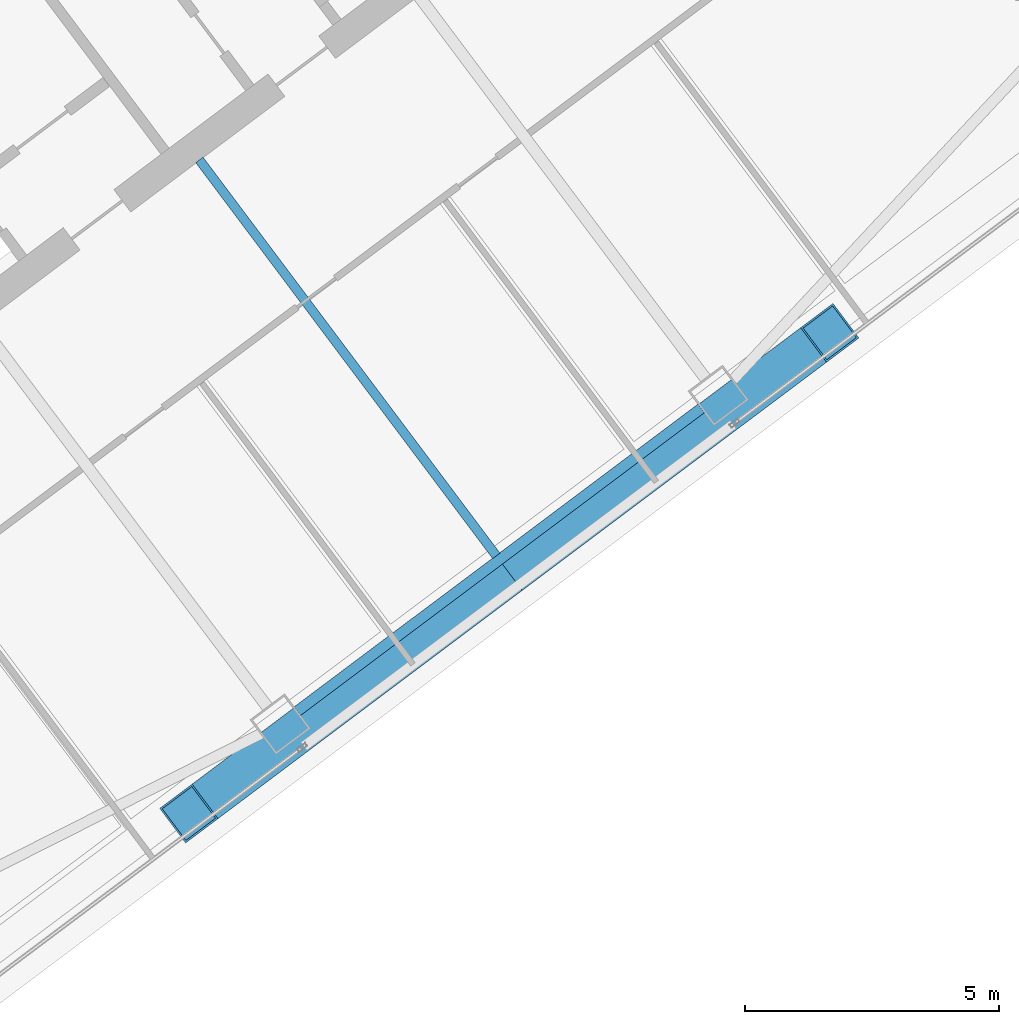
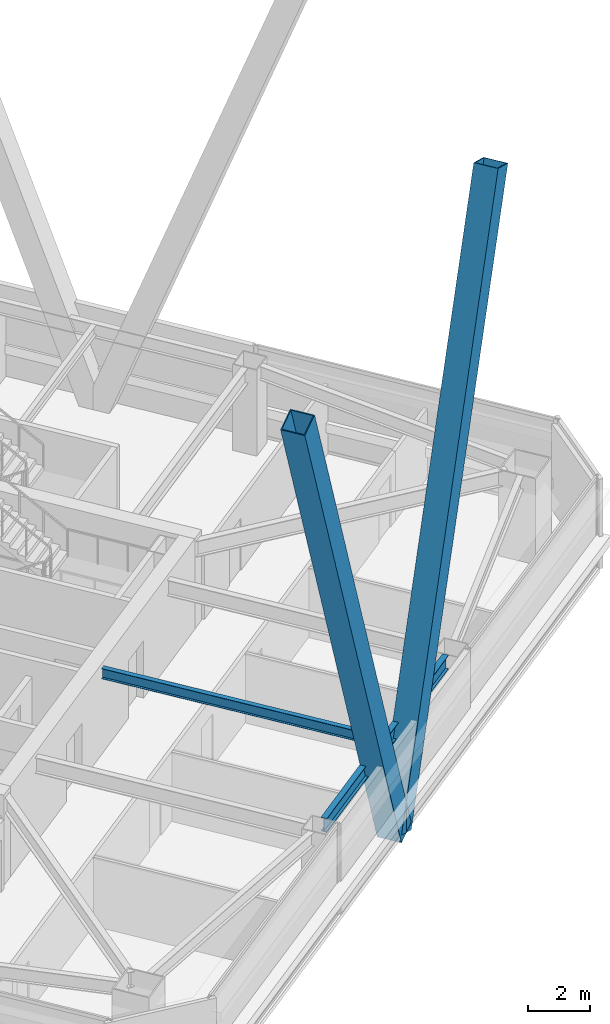
# One storey, part 28 of 50: 2 beams, 2 members.
"""IFC4 building model written with IfcOpenShell, lengths in metres."""

from ifc_helpers import new_model, si_unit, direction, frame, origin, origin_2d, place, context, subcontext, project, spatial, hollow_rectangle, i_section, extrude, material, material_profile, profile_set, type_object, element, save


model = new_model("IFC4")

# Units and contexts
model_context = context("Model", 3, precision=1e-05, world=origin(), true_north=direction((0.0, 1.0)))
body_context = subcontext(model_context, "Body", "Model", "MODEL_VIEW")
ifc_project = project(units=[si_unit("LENGTHUNIT", "METRE"), si_unit("AREAUNIT", "SQUARE_METRE"), si_unit("VOLUMEUNIT", "CUBIC_METRE"), si_unit("PLANEANGLEUNIT", "RADIAN"), si_unit("MASSUNIT", "GRAM", prefix="KILO")], contexts=[model_context])

# Site, building, storey
site_placement = place(None, origin())
site = spatial("IfcSite", under=ifc_project, at=site_placement, CompositionType="ELEMENT")
building_placement = place(site_placement, origin())
building = spatial("IfcBuilding", under=site, at=building_placement, Name="Tashvorn Skyway Center", CompositionType="ELEMENT")
storey_placement = place(building_placement, frame((0.0, 0.0, 114.39990234375)))
storey = spatial("IfcBuildingStorey", under=building, at=storey_placement, Name="L30", CompositionType="ELEMENT", Elevation=114.39990234375)

# Beams
ifc_material_1 = material(Name="Steel ASTM A992 Grade 50", Category="steel")
ifc_material_profile_1 = material_profile(ifc_material_1, i_section(OverallWidth=0.177978515625, OverallDepth=0.406005859375, WebThickness=0.0078125, FlangeThickness=0.0126953125, at=origin_2d()), Name="W16X40")
ifc_profile_set_1 = profile_set([ifc_material_profile_1], Name="Steel ASTM A992 Grade 50")
beam_type_1 = type_object("IfcBeamType", Name="BM-JOIST-W16X40", PredefinedType="JOIST", material=ifc_profile_set_1)
beam_1_placement = place(storey_placement, frame((118.674072265625, 25.76806640625, 3.1669921875), z_axis=(0.599991997409, -0.800006001881, 0.0), x_axis=(0.800006001881, 0.599991997409, 0.0)))
element("IfcBeam", 1, at=beam_1_placement, inside=storey, type_object=beam_type_1, Name="Tower 2 L30 Secondary Composite Joist JS", PredefinedType="JOIST", context=body_context, shape_type="SweptSolid", body=[
    extrude(i_section(OverallWidth=0.177978515625, OverallDepth=0.406005859375, WebThickness=0.0078125, FlangeThickness=0.0126953125, at=origin_2d()), origin(), (0.0, 0.0, 1.0), 9.762451171875),
])
ifc_material_profile_2 = material_profile(ifc_material_1, i_section(OverallWidth=0.2109375, OverallDepth=0.5390625, WebThickness=0.01171875, FlangeThickness=0.018798828125, at=origin_2d()), Name="W21X73")
ifc_profile_set_2 = profile_set([ifc_material_profile_2], Name="Steel ASTM A992 Grade 50")
beam_type_2 = type_object("IfcBeamType", Name="BM-SPANDREL-W21X73", PredefinedType="SPANDREL", material=ifc_profile_set_2)
beam_2_placement = place(storey_placement, frame((120.60595703125, 14.89208984375, 3.1005859375), z_axis=(0.800008824351, 0.599988234018, 0.0), x_axis=(-0.599988234018, 0.800008824351, 0.0)))
element("IfcBeam", 2, at=beam_2_placement, inside=storey, type_object=beam_type_2, Name="Tower 2 L30 Spandrel Beam 02", PredefinedType="SPANDREL", context=body_context, shape_type="SweptSolid", body=[
    extrude(i_section(OverallWidth=0.2109375, OverallDepth=0.5390625, WebThickness=0.01171875, FlangeThickness=0.018798828125, at=origin_2d()), origin(), (0.0, 0.0, 1.0), 9.9599609375),
])

# Members
ifc_material_2 = material(Name="Steel ASTM A572 Grade 50", Category="steel")
ifc_material_profile_3 = material_profile(ifc_material_2, hollow_rectangle(XDim=0.85009765625, YDim=0.85009765625, WallThickness=0.034912109375, at=origin_2d()), Name="BOX850x850x35")
ifc_profile_set_3 = profile_set([ifc_material_profile_3], Name="Steel ASTM A572 Grade 50")
member_type = type_object("IfcMemberType", Name="MEM-MB-850", PredefinedType="BRACE", material=ifc_profile_set_3)
for number, where, z_axis, x_axis, name in (
    (3, (124.7880859375, 17.615966796875, -0.199951171875), (-0.281095965158, -0.210819259224, 0.936237308759), (0.599995055399, -0.800003708427, 0.0), "Tower 2 Zone 3 S Chevron Mega-Brace L1"),
    (4, (124.7880859375, 17.615966796875, -0.199951171875), (0.281085964525, 0.210819902699, 0.936240166396), (-0.600009889378, 0.799992582871, 0.0), "Tower 2 Zone 3 S Chevron Mega-Brace R1"),
):
    element("IfcMember", number, at=place(storey_placement, frame(where, z_axis=z_axis, x_axis=x_axis)), inside=storey, type_object=member_type, Name=name, PredefinedType="BRACE", context=body_context, shape_type="SweptSolid", body=[
        extrude(hollow_rectangle(XDim=0.85009765625, YDim=0.85009765625, WallThickness=0.034912109375, at=origin_2d()), origin(), (0.0, 0.0, 1.0), 22.483642578125),
    ])

save(model, "model.ifc")
